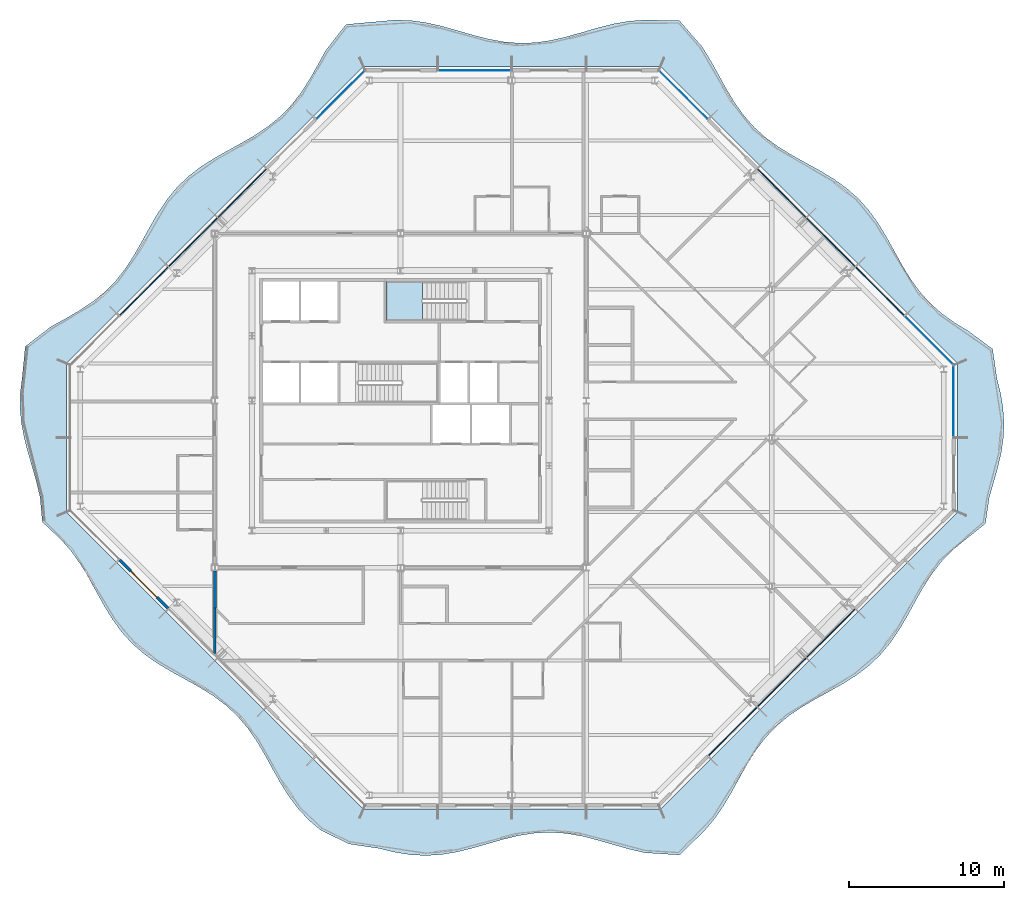
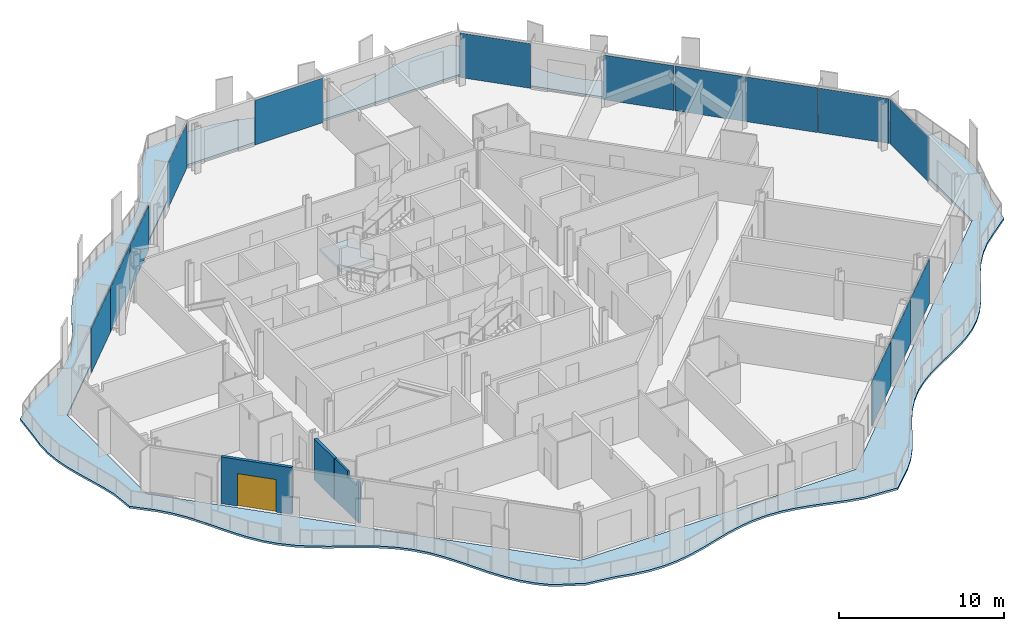
# One storey, part 6 of 17: 14 plates, 3 walls, 2 slabs, 1 door, 1 opening, 6 elements without a shape of their own.
"""IFC4 building model written with IfcOpenShell, lengths in metres."""

from ifc_helpers import new_model, si_unit, direction, frame, frame_2d, origin, origin_2d, place, context, subcontext, project, spatial, polyline, rectangle, outline, extrude, material, layer, layer_set, type_object, element, fill, aggregate, save


model = new_model("IFC4")

# Units and contexts
model_context = context("Model", 3, precision=1e-05, world=origin(), true_north=direction((0.0, 1.0)))
body_context = subcontext(model_context, "Body", "Model", "MODEL_VIEW")
ifc_project = project(units=[si_unit("LENGTHUNIT", "METRE"), si_unit("AREAUNIT", "SQUARE_METRE"), si_unit("VOLUMEUNIT", "CUBIC_METRE"), si_unit("PLANEANGLEUNIT", "RADIAN"), si_unit("MASSUNIT", "GRAM", prefix="KILO")], contexts=[model_context])

# Site, building, storey
site_placement = place(None, origin())
site = spatial("IfcSite", under=ifc_project, at=site_placement, CompositionType="ELEMENT")
building_placement = place(site_placement, origin())
building = spatial("IfcBuilding", under=site, at=building_placement, Name="Cairn Pilgrim Tower", CompositionType="ELEMENT")
storey_placement = place(building_placement, frame((0.0, 0.0, 221.39990234375)))
storey = spatial("IfcBuildingStorey", under=building, at=storey_placement, Name="L56", CompositionType="ELEMENT", Elevation=221.39990234375)

# Slab
ifc_material_1 = material(Name="Concrete C35/45", Category="concrete")
ifc_layer_1 = layer(ifc_material_1, 0.14990234375)
ifc_layer_set_1 = layer_set([ifc_layer_1], Name="BALCONY SLAB 150 CONCRETE C35/45")
slab_type_1 = type_object("IfcSlabType", Name="BALCONY SLAB 150 CONCRETE C35/45", PredefinedType="FLOOR", material=ifc_layer_set_1)
slab_1_placement = place(storey_placement, frame((0.0, 0.0, -0.14990234375)))
element("IfcSlab", 1, at=slab_1_placement, inside=storey, type_object=slab_type_1, Name="Balcony slab BS-1", PredefinedType="FLOOR", context=body_context, shape_type="SweptSolid", body=[
    extrude(outline(polyline([(2.02587890625, -25.351806640625), (3.867919921875, -26.25), (5.810546875, -26.539794921875), (6.821044921875, -26.78466796875), (7.83154296875, -26.946533203125), (8.842041015625, -27.0), (9.8525390625, -26.936767578125), (10.863037109375, -26.76708984375), (11.873779296875, -26.516845703125), (12.88427734375, -26.22509765625), (13.894775390625, -25.9375), (14.9052734375, -25.6982421875), (15.915771484375, -25.544677734375), (16.92626953125, -25.5009765625), (17.936767578125, -25.573486328125), (18.947265625, -25.751220703125), (19.9580078125, -26.006591796875), (20.968505859375, -26.299560546875), (21.97900390625, -26.5849609375), (22.989501953125, -26.818359375), (25.2275390625, -26.96337890625), (26.830810546875, -25.408447265625), (27.484619140625, -24.64013671875), (28.066162109375, -23.79931640625), (28.5947265625, -22.906005859375), (29.09912109375, -21.988037109375), (29.610595703125, -21.077392578125), (30.16015625, -20.20458984375), (30.772705078125, -19.394775390625), (31.463134765625, -18.663330078125), (32.235107421875, -18.012939453125), (33.078857421875, -17.434326171875), (33.973876953125, -16.9072265625), (34.892333984375, -16.4033203125), (35.802001953125, -15.890869140625), (36.672119140625, -15.3388671875), (37.478759765625, -14.72314453125), (38.20654296875, -14.02880859375), (38.853515625, -13.25341796875), (39.42919921875, -12.406982421875), (39.95458984375, -11.510009765625), (40.4580078125, -10.59130859375), (40.971923828125, -9.682861328125), (41.526123046875, -8.815185546875), (42.145263671875, -8.011962890625), (42.84326171875, -7.28759765625), (43.6220703125, -6.644287109375), (44.998046875, -5.544677734375), (45.25, -3.840087890625), (45.5302734375, -2.8798828125), (45.799072265625, -1.919921875), (46.01904296875, -0.9599609375), (46.158935546875, 0.0), (46.19921875, 0.9599609375), (46.134521484375, 1.919921875), (45.973388671875, 2.8798828125), (45.739013671875, 3.840087890625), (45.4638671875, 5.73779296875), (43.885009765625, 6.9072265625), (42.9990234375, 7.443603515625), (42.170166015625, 8.036865234375), (41.416259765625, 8.705078125), (40.743896484375, 9.455078125), (40.1474609375, 10.28076171875), (39.60888671875, 11.164306640625), (39.101806640625, 12.07958984375), (38.5947265625, 12.99462890625), (38.056396484375, 13.87841796875), (37.4599609375, 14.704345703125), (36.7880859375, 15.45458984375), (36.034423828125, 16.123291015625), (35.20556640625, 16.716796875), (34.320068359375, 17.25341796875), (33.404052734375, 17.759765625), (32.48974609375, 18.267578125), (31.60791015625, 18.80810546875), (30.78515625, 19.407470703125), (30.03857421875, 20.0830078125), (29.37353515625, 20.84033203125), (28.783203125, 21.672119140625), (28.24853515625, 22.559814453125), (27.742919921875, 23.47607421875), (27.234130859375, 24.3896484375), (26.691650390625, 25.269287109375), (25.2236328125, 26.954345703125), (22.989501953125, 26.999267578125), (21.97900390625, 26.927734375), (20.968505859375, 26.7509765625), (19.9580078125, 26.496337890625), (18.947265625, 26.203369140625), (17.936767578125, 25.917724609375), (16.92626953125, 25.68359375), (15.915771484375, 25.53759765625), (14.9052734375, 25.50244140625), (13.894775390625, 25.583251953125), (12.88427734375, 25.767822265625), (11.873779296875, 26.02734375), (10.863037109375, 26.3212890625), (9.8525390625, 26.6044921875), (8.842041015625, 26.832275390625), (7.83154296875, 26.9697265625), (6.821044921875, 26.995361328125), (5.810546875, 26.905029296875), (3.67626953125, 26.712890625), (2.356201171875, 25.021484375), (1.852783203125, 24.102783203125), (1.3388671875, 23.1943359375), (0.78466796875, 22.326416015625), (0.165771484375, 21.523193359375), (-0.531982421875, 20.798828125), (-1.310791015625, 20.1552734375), (-2.159912109375, 19.582275390625), (-3.058349609375, 19.058349609375), (-3.977294921875, 18.55517578125), (-4.884521484375, 18.040283203125), (-5.750244140625, 17.4833984375), (-6.550048828125, 16.861083984375), (-7.270751953125, 16.15966796875), (-7.910888671875, 15.37744140625), (-8.481201171875, 14.525634765625), (-9.003173828125, 13.62548828125), (-9.50634765625, 12.70654296875), (-10.022705078125, 11.80029296875), (-10.581787109375, 10.9375), (-11.20751953125, 10.140869140625), (-11.91259765625, 9.423828125), (-12.6982421875, 8.787109375), (-13.552978515625, 8.2197265625), (-14.45458984375, 7.698974609375), (-15.373779296875, 7.196044921875), (-17.056396484375, 5.900390625), (-17.260009765625, 3.840087890625), (-17.377685546875, 2.8798828125), (-17.393310546875, 1.919921875), (-17.304443359375, 0.9599609375), (-17.123779296875, 0.0), (-16.87646484375, -0.9599609375), (-16.597412109375, -1.919921875), (-16.32568359375, -2.8798828125), (-16.099609375, -3.840087890625), (-15.95068359375, -5.4423828125), (-14.749755859375, -6.572021484375), (-14.08447265625, -7.3291015625), (-13.493896484375, -8.16064453125), (-12.95947265625, -9.04833984375), (-12.45361328125, -9.964599609375), (-11.945068359375, -10.87841796875), (-11.40234375, -11.758056640625), (-10.800048828125, -12.57763671875), (-10.120849609375, -13.32080078125), (-9.360107421875, -13.982421875), (-8.525634765625, -14.570068359375), (-7.635986328125, -15.102783203125), (-6.718994140625, -15.60791015625), (-5.80615234375, -16.117431640625), (-4.9287109375, -16.662109375), (-4.1123046875, -17.267822265625), (-3.372802734375, -17.950439453125), (-2.71484375, -18.71484375), (-2.130126953125, -19.552490234375), (-1.599365234375, -20.44384765625), (-1.0947265625, -21.361328125), (-0.584228515625, -22.273193359375), (-0.037109375, -23.148193359375), (0.571533203125, -23.961669921875), (1.258056640625, -24.697509765625), (2.02587890625, -25.351806640625)]), holes=[polyline([(24.0, -24.0), (4.800048828125, -24.0), (-14.39990234375, -4.800048828125), (-14.39990234375, 4.800048828125), (4.800048828125, 24.0), (24.0, 24.0), (43.199951171875, 4.800048828125), (43.199951171875, -4.800048828125), (24.0, -24.0)])]), origin(), (0.0, 0.0, 1.0), 0.14990234375),
])

# Curtain wall, plates
ifc_material_2 = material(Name="Aluminium alloy 6063-T6 bronze anodised with Bronze tinted laminated low-E glass 8+16+8.8", Category="aluminium")
curtain_wall_type_1 = type_object("IfcCurtainWallType", Name="CHAMFER CORNER CURTAIN WALL", PredefinedType="NOTDEFINED", material=ifc_material_2)
curtain_wall_1_placement = place(storey_placement, origin())
curtain_wall_1 = element("IfcCurtainWall", 2, at=curtain_wall_1_placement, inside=storey, type_object=curtain_wall_type_1, Name="Chamfer Corner Curtain Wall SE", PredefinedType="NOTDEFINED")
ifc_material_3 = material(Name="Bronze anodised aluminium spandrel panel with mineral wool insulation", Category="aluminium")
ifc_layer_2 = layer(ifc_material_3, 0.06005859375)
ifc_layer_set_2 = layer_set([ifc_layer_2], Name="SPANDREL PANEL 4431x3300")
plate_type_1 = type_object("IfcPlateType", Name="SPANDREL PANEL 4431x3300", PredefinedType="CURTAIN_PANEL", material=ifc_layer_set_2)
plate_1_placement = place(storey_placement, frame((28.659912109375, -18.986572265625, 0.0), z_axis=(0.0, 0.0, 1.0), x_axis=(0.707106781187, 0.707106781187, 0.0)))
plate_1 = element("IfcPlate", 3, at=plate_1_placement, type_object=plate_type_1, Name="Spandrel Panel SE2-1", PredefinedType="CURTAIN_PANEL", context=body_context, shape_type="SweptSolid", body=[
    extrude(rectangle(XDim=4.430908203125, YDim=0.06005859375, at=origin_2d()), origin(), (0.0, 0.0, 1.0), 3.300048828125),
])
plate_2_placement = place(storey_placement, frame((31.83544921875, -15.81103515625, 0.0), z_axis=(0.0, 0.0, 1.0), x_axis=(0.707106781187, 0.707106781187, 0.0)))
plate_2 = element("IfcPlate", 4, at=plate_2_placement, type_object=plate_type_1, Name="Spandrel Panel SE3-1", PredefinedType="CURTAIN_PANEL", context=body_context, shape_type="SweptSolid", body=[
    extrude(rectangle(XDim=4.430908203125, YDim=0.06005859375, at=origin_2d()), origin(), (0.0, 0.0, 1.0), 3.300048828125),
])
plate_3_placement = place(storey_placement, frame((35.010986328125, -12.635498046875, 0.0), z_axis=(0.0, 0.0, 1.0), x_axis=(0.707106781187, 0.707106781187, 0.0)))
plate_3 = element("IfcPlate", 5, at=plate_3_placement, type_object=plate_type_1, Name="Spandrel Panel SE4-1", PredefinedType="CURTAIN_PANEL", context=body_context, shape_type="SweptSolid", body=[
    extrude(rectangle(XDim=4.430908203125, YDim=0.06005859375, at=origin_2d()), origin(), (0.0, 0.0, 1.0), 3.300048828125),
])
aggregate(curtain_wall_1, [plate_1, plate_2, plate_3])

curtain_wall_2_placement = place(storey_placement, origin())
curtain_wall_2 = element("IfcCurtainWall", 6, at=curtain_wall_2_placement, inside=storey, type_object=curtain_wall_type_1, Name="Chamfer Corner Curtain Wall NE", PredefinedType="NOTDEFINED")
plate_4_placement = place(storey_placement, frame((38.1865234375, 9.459716796875, 0.0), z_axis=(0.0, 0.0, 1.0), x_axis=(-0.707106781187, 0.707106781187, 0.0)))
plate_4 = element("IfcPlate", 7, at=plate_4_placement, type_object=plate_type_1, Name="Spandrel Panel NE2-1", PredefinedType="CURTAIN_PANEL", context=body_context, shape_type="SweptSolid", body=[
    extrude(rectangle(XDim=4.430908203125, YDim=0.06005859375, at=origin_2d()), origin(), (0.0, 0.0, 1.0), 3.300048828125),
])
plate_5_placement = place(storey_placement, frame((35.010986328125, 12.635498046875, 0.0), z_axis=(0.0, 0.0, 1.0), x_axis=(-0.707106781187, 0.707106781187, 0.0)))
plate_5 = element("IfcPlate", 8, at=plate_5_placement, type_object=plate_type_1, Name="Spandrel Panel NE3-1", PredefinedType="CURTAIN_PANEL", context=body_context, shape_type="SweptSolid", body=[
    extrude(rectangle(XDim=4.430908203125, YDim=0.06005859375, at=origin_2d()), origin(), (0.0, 0.0, 1.0), 3.300048828125),
])
plate_6_placement = place(storey_placement, frame((31.83544921875, 15.81103515625, 0.0), z_axis=(0.0, 0.0, 1.0), x_axis=(-0.707106781187, 0.707106781187, 0.0)))
plate_6 = element("IfcPlate", 9, at=plate_6_placement, type_object=plate_type_1, Name="Spandrel Panel NE4-1", PredefinedType="CURTAIN_PANEL", context=body_context, shape_type="SweptSolid", body=[
    extrude(rectangle(XDim=4.430908203125, YDim=0.06005859375, at=origin_2d()), origin(), (0.0, 0.0, 1.0), 3.300048828125),
])

curtain_wall_3_placement = place(storey_placement, origin())
curtain_wall_3 = element("IfcCurtainWall", 10, at=curtain_wall_3_placement, inside=storey, type_object=curtain_wall_type_1, Name="Chamfer Corner Curtain Wall NW", PredefinedType="NOTDEFINED")
plate_7_placement = place(storey_placement, frame((-3.035400390625, 15.81103515625, 0.0), z_axis=(0.0, 0.0, 1.0), x_axis=(-0.707106781187, -0.707106781187, 0.0)))
plate_7 = element("IfcPlate", 11, at=plate_7_placement, type_object=plate_type_1, Name="Spandrel Panel NW3-1", PredefinedType="CURTAIN_PANEL", context=body_context, shape_type="SweptSolid", body=[
    extrude(rectangle(XDim=4.430908203125, YDim=0.06005859375, at=origin_2d()), origin(), (0.0, 0.0, 1.0), 3.300048828125),
])
plate_8_placement = place(storey_placement, frame((-6.2109375, 12.635498046875, 0.0), z_axis=(0.0, 0.0, 1.0), x_axis=(-0.707106781187, -0.707106781187, 0.0)))
plate_8 = element("IfcPlate", 12, at=plate_8_placement, type_object=plate_type_1, Name="Spandrel Panel NW4-1", PredefinedType="CURTAIN_PANEL", context=body_context, shape_type="SweptSolid", body=[
    extrude(rectangle(XDim=4.430908203125, YDim=0.06005859375, at=origin_2d()), origin(), (0.0, 0.0, 1.0), 3.300048828125),
])
plate_9_placement = place(storey_placement, frame((-9.38671875, 9.459716796875, 0.0), z_axis=(0.0, 0.0, 1.0), x_axis=(-0.707106781187, -0.707106781187, 0.0)))
plate_9 = element("IfcPlate", 13, at=plate_9_placement, type_object=plate_type_1, Name="Spandrel Panel NW5-1", PredefinedType="CURTAIN_PANEL", context=body_context, shape_type="SweptSolid", body=[
    extrude(rectangle(XDim=4.430908203125, YDim=0.06005859375, at=origin_2d()), origin(), (0.0, 0.0, 1.0), 3.300048828125),
])

# Stair, slab
ifc_material_4 = material(Name="Concrete C32/40", Category="concrete")
stair_type = type_object("IfcStairType", Name="EXIT STAIR 1200", PredefinedType="HALF_TURN_STAIR", material=ifc_material_4)
stair_placement = place(storey_placement, origin())
stair = element("IfcStair", 14, at=stair_placement, inside=storey, type_object=stair_type, Name="L56 Exit Stair C", PredefinedType="HALF_TURN_STAIR")
ifc_layer_3 = layer(ifc_material_4, 0.199951171875)
ifc_layer_set_3 = layer_set([ifc_layer_3], Name="STAIR LANDING 200")
slab_type_2 = type_object("IfcSlabType", Name="STAIR LANDING 200", PredefinedType="LANDING", material=ifc_layer_set_3)
slab_2_placement = place(storey_placement, frame((0.0, 0.0, 1.60009765625)))
slab_2 = element("IfcSlab", 15, at=slab_2_placement, type_object=slab_type_2, Name="ST-C landing 1", PredefinedType="LANDING", context=body_context, shape_type="SweptSolid", body=[
    extrude(outline(polyline([(8.625, 10.10009765625), (6.27490234375, 10.10009765625), (6.27490234375, 7.574951171875), (8.625, 7.574951171875), (8.625, 10.10009765625)])), origin(), (0.0, 0.0, 1.0), 0.199951171875),
])
aggregate(stair, [slab_2])

# Plate
ifc_material_5 = material(Name="Bronze tinted laminated low-E glass 8+16+8.8", Category="glass")
ifc_layer_4 = layer(ifc_material_5, 0.033935546875)
ifc_layer_set_4 = layer_set([ifc_layer_4], Name="VISION GLAZING 4421x3300")
plate_type_2 = type_object("IfcPlateType", Name="VISION GLAZING 4421x3300", PredefinedType="CURTAIN_PANEL", material=ifc_layer_set_4)
plate_10_placement = place(storey_placement, frame((41.358642578125, 6.287841796875, 0.0), z_axis=(0.0, 0.0, 1.0), x_axis=(-0.707106781187, 0.707106781187, 0.0)))
plate_10 = element("IfcPlate", 16, at=plate_10_placement, type_object=plate_type_2, Name="Vision Glazing NE1-1", PredefinedType="CURTAIN_PANEL", context=body_context, shape_type="SweptSolid", body=[
    extrude(rectangle(XDim=4.4208984375, YDim=0.033935546875, at=origin_2d()), origin(), (0.0, 0.0, 1.0), 3.300048828125),
])

plate_11_placement = place(storey_placement, frame((25.48779296875, 22.15869140625, 0.0), z_axis=(0.0, 0.0, 1.0), x_axis=(-0.707106781187, 0.707106781187, 0.0)))
plate_11 = element("IfcPlate", 17, at=plate_11_placement, type_object=plate_type_2, Name="Vision Glazing NE6-1", PredefinedType="CURTAIN_PANEL", context=body_context, shape_type="SweptSolid", body=[
    extrude(rectangle(XDim=4.4208984375, YDim=0.033935546875, at=origin_2d()), origin(), (0.0, 0.0, 1.0), 3.300048828125),
])

aggregate(curtain_wall_2, [plate_10, plate_4, plate_5, plate_6, plate_11])

plate_12_placement = place(storey_placement, frame((3.312255859375, 22.15869140625, 0.0), z_axis=(0.0, 0.0, 1.0), x_axis=(-0.707106781187, -0.707106781187, 0.0)))
plate_12 = element("IfcPlate", 18, at=plate_12_placement, type_object=plate_type_2, Name="Vision Glazing NW1-1", PredefinedType="CURTAIN_PANEL", context=body_context, shape_type="SweptSolid", body=[
    extrude(rectangle(XDim=4.4208984375, YDim=0.033935546875, at=origin_2d()), origin(), (0.0, 0.0, 1.0), 3.300048828125),
])

aggregate(curtain_wall_3, [plate_12, plate_7, plate_8, plate_9])

# Curtain wall, plate
curtain_wall_type_2 = type_object("IfcCurtainWallType", Name="TOWER STICK CURTAIN WALL EW", PredefinedType="NOTDEFINED", material=ifc_material_2)
curtain_wall_4_placement = place(storey_placement, origin())
curtain_wall_4 = element("IfcCurtainWall", 19, at=curtain_wall_4_placement, inside=storey, type_object=curtain_wall_type_2, Name="Tower Stick Curtain Wall Ew E", PredefinedType="NOTDEFINED")
ifc_layer_5 = layer(ifc_material_5, 0.033935546875)
ifc_layer_set_5 = layer_set([ifc_layer_5], Name="VISION GLAZING 4626x3300")
plate_type_3 = type_object("IfcPlateType", Name="VISION GLAZING 4626x3300", PredefinedType="CURTAIN_PANEL", material=ifc_layer_set_5)
plate_13_placement = place(storey_placement, frame((42.949951171875, 2.34326171875, 0.0), z_axis=(0.0, 0.0, 1.0), x_axis=(0.0, 1.0, 0.0)))
plate_13 = element("IfcPlate", 20, at=plate_13_placement, type_object=plate_type_3, Name="Vision Glazing E2-1", PredefinedType="CURTAIN_PANEL", context=body_context, shape_type="SweptSolid", body=[
    extrude(rectangle(XDim=4.62646484375, YDim=0.033935546875, at=origin_2d()), origin(), (0.0, 0.0, 1.0), 3.300048828125),
])
aggregate(curtain_wall_4, [plate_13])

curtain_wall_type_3 = type_object("IfcCurtainWallType", Name="TOWER STICK CURTAIN WALL NS", PredefinedType="NOTDEFINED", material=ifc_material_2)
curtain_wall_5_placement = place(storey_placement, origin())
curtain_wall_5 = element("IfcCurtainWall", 21, at=curtain_wall_5_placement, inside=storey, type_object=curtain_wall_type_3, Name="Tower Stick Curtain Wall Ns N", PredefinedType="NOTDEFINED")
ifc_layer_6 = layer(ifc_material_5, 0.033935546875)
ifc_layer_set_6 = layer_set([ifc_layer_6], Name="VISION GLAZING 4740x3300")
plate_type_4 = type_object("IfcPlateType", Name="VISION GLAZING 4740x3300", PredefinedType="CURTAIN_PANEL", material=ifc_layer_set_6)
plate_14_placement = place(storey_placement, frame((12.0, 23.75, 0.0), z_axis=(0.0, 0.0, 1.0), x_axis=(-1.0, 0.0, 0.0)))
plate_14 = element("IfcPlate", 22, at=plate_14_placement, type_object=plate_type_4, Name="Vision Glazing N3-1", PredefinedType="CURTAIN_PANEL", context=body_context, shape_type="SweptSolid", body=[
    extrude(rectangle(XDim=4.739990234375, YDim=0.033935546875, at=origin_2d()), origin(), (0.0, 0.0, 1.0), 3.300048828125),
])
aggregate(curtain_wall_5, [plate_14])

# Wall, opening, door
ifc_material_6 = material(Name="Bronze anodised aluminium insulated sandwich panel with mineral wool fill", Category="aluminium")
ifc_layer_7 = layer(ifc_material_6, 0.199951171875)
ifc_layer_set_7 = layer_set([ifc_layer_7], Name="BRONZE INFILL FRAME WALL 200")
wall_type_1 = type_object("IfcWallType", Name="BRONZE INFILL FRAME WALL 200", PredefinedType="NOTDEFINED", material=ifc_layer_set_7)
wall_1_placement = place(storey_placement, frame((-10.953125, -7.893310546875, 0.0), z_axis=(0.0, 0.0, 1.0), x_axis=(0.707106781187, -0.707106781187, 0.0)))
wall_1 = element("IfcWall", 23, at=wall_1_placement, inside=storey, type_object=wall_type_1, Name="Bronze infill frame wall IW-SW2", PredefinedType="NOTDEFINED", context=body_context, shape_type="SweptSolid", body=[
    extrude(rectangle(XDim=4.430908203125, YDim=0.199951171875, at=frame_2d((2.21533203125, 0.0))), origin(), (0.0, 0.0, 1.0), 3.4501953125),
])
opening_placement = place(wall_1_placement, frame((1.015380859375, 0.0, 0.0)))
opening = element("IfcOpeningElement", 24, at=opening_placement, cuts=wall_1, Name="Opening 5612B", PredefinedType="OPENING", context=body_context, shape_type="SweptSolid", body=[
    extrude(rectangle(XDim=2.39990234375, YDim=2.39990234375, at=frame_2d((1.199951171875, 1.199951171875))), frame((0.0, 0.10986328125, 0.0), z_axis=(0.0, -1.0, 0.0), x_axis=(1.0, 0.0, 0.0)), (0.0, 0.0, 1.0), 0.219970703125),
])
ifc_material_7 = material(Name="Bronze anodised aluminium frame with tinted low-E glass", Category="aluminium")
door_type = type_object("IfcDoorType", Name="BALCONY SLIDING DOOR 2400x2400", OperationType="DOUBLE_DOOR_SLIDING", PredefinedType="DOOR", material=ifc_material_7)
door_placement = place(opening_placement, origin())
door = element("IfcDoor", 25, at=door_placement, inside=storey, type_object=door_type, Name="Balcony sliding door 5612B", OperationType="SINGLE_SWING_LEFT", OverallHeight=2.39990234375, OverallWidth=2.39990234375, PredefinedType="DOOR", context=body_context, shape_type="SweptSolid", body=[
    extrude(rectangle(XDim=2.39990234375, YDim=2.39990234375, at=frame_2d((1.199951171875, 1.199951171875))), frame((0.0, 0.02490234375, 0.0), z_axis=(0.0, -1.0, 0.0), x_axis=(1.0, 0.0, 0.0)), (0.0, 0.0, 1.0), 0.050048828125),
])
fill(opening, door)

# Walls
ifc_material_8 = material(Name="Gypsum partition")
ifc_layer_8 = layer(ifc_material_8, 0.14990234375)
ifc_layer_set_8 = layer_set([ifc_layer_8], Name="PARTITION 150 DRYWALL EI 60")
wall_type_2 = type_object("IfcWallType", Name="PARTITION 150 DRYWALL EI 60", PredefinedType="PARTITIONING", material=ifc_layer_set_8)
wall_2_placement = place(storey_placement, frame((-4.800048828125, -13.926025390625, 0.0), z_axis=(0.0, 0.0, 1.0), x_axis=(0.0, 1.0, 0.0)))
element("IfcWall", 26, at=wall_2_placement, inside=storey, type_object=wall_type_2, Name="PARTITION W015", PredefinedType="PARTITIONING", context=body_context, shape_type="SweptSolid", body=[
    extrude(outline(polyline([(0.0, 0.0), (2.919921875, 0.0), (2.920166015625, 3.030029296875), (1.368896484375, 3.030029296875), (1.366943359375, 2.630126953125), (0.22900390625, 2.630126953125), (0.226806640625, 3.030029296875), (0.0, 3.030029296875), (0.0, 0.0)])), frame((0.0, 0.074951171875, 0.0), z_axis=(0.0, -1.0, 0.0), x_axis=(1.0, 0.0, 0.0)), (0.0, 0.0, 1.0), 0.14990234375),
])
ifc_layer_9 = layer(ifc_material_8, 0.199951171875)
ifc_layer_set_9 = layer_set([ifc_layer_9], Name="SHAFT WALL 200 GYPSUM EI 60")
wall_type_3 = type_object("IfcWallType", Name="SHAFT WALL 200 GYPSUM EI 60", PredefinedType="PARTITIONING", material=ifc_layer_set_9)
wall_3_placement = place(storey_placement, frame((-4.800048828125, -11.006103515625, 0.0), z_axis=(0.0, 0.0, 1.0), x_axis=(0.0, 1.0, 0.0)))
element("IfcWall", 27, at=wall_3_placement, inside=storey, type_object=wall_type_3, Name="PARTITION W026", PredefinedType="PARTITIONING", context=body_context, shape_type="SweptSolid", body=[
    extrude(rectangle(XDim=2.40966796875, YDim=0.199951171875, at=frame_2d((1.204833984375, 0.0))), origin(), (0.0, 0.0, 1.0), 3.030029296875),
])

save(model, "model.ifc")
